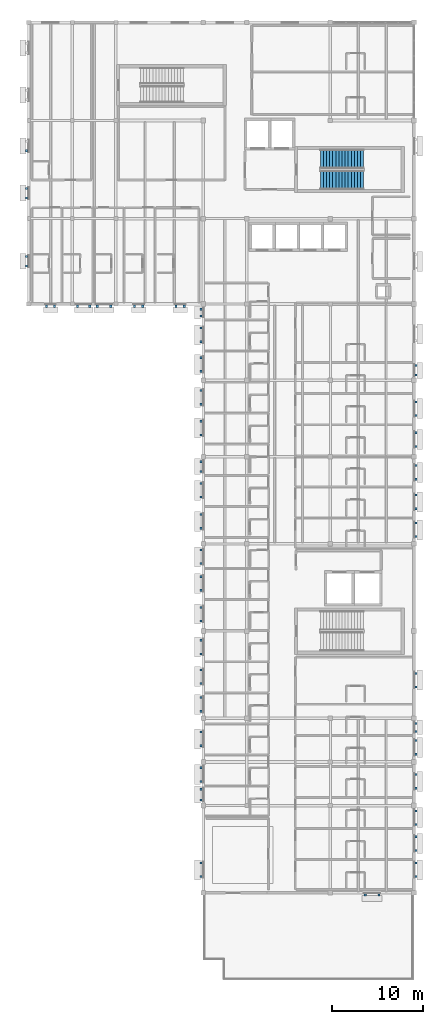
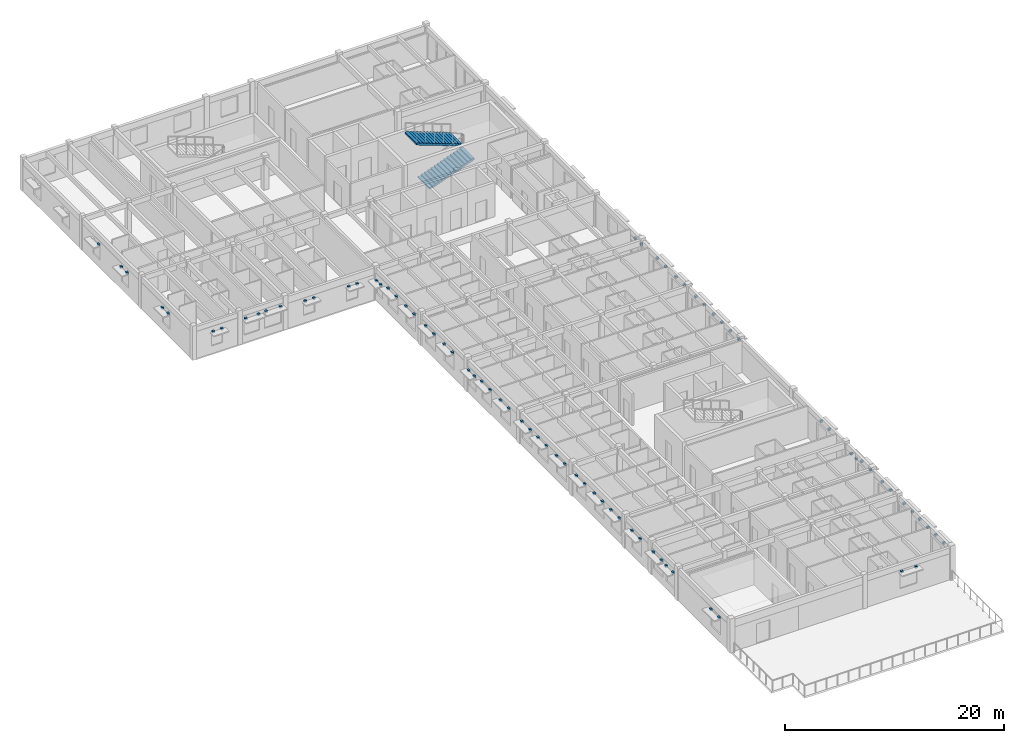
# One storey, part 16 of 22: 79 discrete accessories, 2 stair flights, 1 element without a shape of its own.
"""IFC4 building model written with IfcOpenShell, lengths in metres."""

import ifcopenshell
import ifcopenshell.guid

model = None  # the IFC model being written
_history = None  # IfcOwnerHistory: only IFC2X3 demands one
_inside = {}  # id of a spatial element -> (the spatial element, [elements in it])
_under = {}  # id of a project, library or spatial element -> (it, [spatial elements below it])
_declared = {}  # id of a project -> (the project, [libraries it declares])
_typed = {}  # id of a type object -> (the type object, [elements of that type])
_made_of = {}  # id of a material, layer set ... -> (it, [elements and type objects made of it])


def new_model(schema):
    """Start an empty IFC model of exactly this schema.

    Asked for "IFC4X3", IfcOpenShell would pick the latest addendum, in which some entities
    have other attributes; the version numbers below select the first issue.
    IFC2X3 requires an IfcOwnerHistory on every rooted entity: one is made here for all.
    """
    global model, _history
    if schema == "IFC4X3":
        model = ifcopenshell.file(schema_version=(4, 3, 0, 0))
    else:
        model = ifcopenshell.file(schema=schema)
    _inside.clear()
    _under.clear()
    _declared.clear()
    _typed.clear()
    _made_of.clear()
    _history = None
    if model.schema == "IFC2X3":
        org = make("IfcOrganization", Name="unknown")
        user = make(
            "IfcPersonAndOrganization",
            ThePerson=make("IfcPerson", FamilyName="unknown"),
            TheOrganization=org,
        )
        app = make(
            "IfcApplication",
            ApplicationDeveloper=org,
            Version="unknown",
            ApplicationFullName="unknown",
            ApplicationIdentifier="unknown",
        )
        _history = make(
            "IfcOwnerHistory",
            OwningUser=user,
            OwningApplication=app,
            ChangeAction="ADDED",
            CreationDate=0,
        )
    return model


def make(cls, **values):
    """One entity of the class cls with the attributes given. An attribute that is None is left unset."""
    return model.create_entity(
        cls, **{name: value for name, value in values.items() if value is not None}
    )


def rooted(cls, **values):
    """An entity with a GlobalId (a new one), such as an element, a storey or a relation."""
    return make(cls, GlobalId=ifcopenshell.guid.new(), OwnerHistory=_history, **values)


def si_unit(unit_type, name, prefix=None):
    """IfcSIUnit, for example si_unit("LENGTHUNIT", "METRE", prefix="MILLI")."""
    return make("IfcSIUnit", UnitType=unit_type, Prefix=prefix, Name=name)


def assignment(units):
    """IfcUnitAssignment: the units of a project."""
    return None if units is None else make("IfcUnitAssignment", Units=units)


def point(xyz):
    """IfcCartesianPoint."""
    return None if xyz is None else make("IfcCartesianPoint", Coordinates=xyz)


def direction(xyz):
    """IfcDirection."""
    return None if xyz is None else make("IfcDirection", DirectionRatios=xyz)


def frame(location, z_axis=None, x_axis=None):
    """IfcAxis2Placement3D, a coordinate frame: its origin and axes. An axis left out is left unset."""
    return make(
        "IfcAxis2Placement3D",
        Location=point(location),
        Axis=direction(z_axis),
        RefDirection=direction(x_axis),
    )


def frame_2d(location, x_axis=None):
    """IfcAxis2Placement2D, a coordinate frame in the plane: its origin and x axis."""
    return make(
        "IfcAxis2Placement2D", Location=point(location), RefDirection=direction(x_axis)
    )


def origin():
    """The frame at (0, 0, 0) with its axes left unset."""
    return frame((0.0, 0.0, 0.0))


def origin_2d():
    """The frame at (0, 0) in the plane with its x axis left unset."""
    return frame_2d((0.0, 0.0))


def place(relative_to, where):
    """IfcLocalPlacement: puts the frame where relative to a parent placement (None: the world)."""
    return make(
        "IfcLocalPlacement", PlacementRelTo=relative_to, RelativePlacement=where
    )


def context(
    kind, dimensions, precision=None, world=None, true_north=None, identifier=None
):
    """IfcGeometricRepresentationContext, for example the 3D "Model" context."""
    return make(
        "IfcGeometricRepresentationContext",
        ContextIdentifier=identifier,
        ContextType=kind,
        CoordinateSpaceDimension=dimensions,
        Precision=precision,
        WorldCoordinateSystem=world,
        TrueNorth=true_north,
    )


def subcontext(parent, identifier, kind, view, scale=None):
    """IfcGeometricRepresentationSubContext, for example "Body" below "Model"."""
    return make(
        "IfcGeometricRepresentationSubContext",
        ContextIdentifier=identifier,
        ContextType=kind,
        ParentContext=parent,
        TargetScale=scale,
        TargetView=view,
    )


def project(units=None, contexts=None):
    """IfcProject with its units and contexts."""
    return rooted(
        "IfcProject",
        Name="project",
        RepresentationContexts=contexts,
        UnitsInContext=assignment(units),
    )


def spatial(cls, under=None, at=None, **own):
    """A site, building, storey or space (cls), placed at a placement, below another one or the project."""
    s = rooted(cls, ObjectPlacement=at, **own)
    if under is not None:
        _under.setdefault(under.id(), (under, []))[1].append(s)
    return s


def polyline(points):
    """IfcPolyline through the points."""
    return make("IfcPolyline", Points=[point(p) for p in points])


def profile(cls, at=None, kind="AREA", **sizes):
    """A parametric profile (cls). Its sizes go by their IFC names, for example OverallWidth=200.0."""
    return make(cls, ProfileType=kind, Position=at, **sizes)


def rectangle(**sizes):
    """IfcRectangleProfileDef."""
    return profile("IfcRectangleProfileDef", **sizes)


def outline(outer, holes=None, kind="AREA"):
    """IfcArbitraryClosedProfileDef: a profile drawn as a closed curve; with holes, ...WithVoids."""
    if holes is None:
        return make("IfcArbitraryClosedProfileDef", ProfileType=kind, OuterCurve=outer)
    return make(
        "IfcArbitraryProfileDefWithVoids",
        ProfileType=kind,
        OuterCurve=outer,
        InnerCurves=holes,
    )


def extrude(swept, where, along, depth):
    """IfcExtrudedAreaSolid: the profile swept, set in the frame where, extruded along a direction by depth."""
    return make(
        "IfcExtrudedAreaSolid",
        SweptArea=swept,
        Position=where,
        ExtrudedDirection=direction(along),
        Depth=depth,
    )


def shape(context_of_items, identifier, shape_type, items):
    """IfcShapeRepresentation: the items that make up one representation, for example the "Body"."""
    return make(
        "IfcShapeRepresentation",
        ContextOfItems=context_of_items,
        RepresentationIdentifier=identifier,
        RepresentationType=shape_type,
        Items=items,
    )


def material(Name=None, Category=None):
    """IfcMaterial."""
    return make("IfcMaterial", Name=Name, Category=Category)


def made_of(thing, what):
    """Note that an element or type object is made of a material, layer set ...; save() writes the relation."""
    if what is not None:
        _made_of.setdefault(what.id(), (what, []))[1].append(thing)
    return thing


def type_object(cls, material=None, **own):
    """A type object (cls), such as IfcWallType, which elements share."""
    return made_of(rooted(cls, **own), material)


def element(
    cls,
    number,
    at=None,
    inside=None,
    cuts=None,
    type_object=None,
    material=None,
    context=None,
    identifier="Body",
    shape_type=None,
    held_by="IfcProductDefinitionShape",
    body=None,
    shapes=None,
    **own,
):
    """One element of the class cls, such as IfcWall. Its Tag is "e" and its number.

    at: its placement. inside: the storey or other place that contains it. cuts: it is an
    opening in that element (IfcRelVoidsElement). A single representation is given by context,
    identifier, shape_type and body (its items); several are given by shapes. held_by: the class
    of the entity that holds the representations. save() writes the other relations.
    """
    e = rooted(cls, Tag="e%d" % number, ObjectPlacement=at, **own)
    if body is not None:
        shapes = [shape(context, identifier, shape_type, body)]
    if shapes is not None:
        e.Representation = make(held_by, Representations=shapes)
    if inside is not None:
        _inside.setdefault(inside.id(), (inside, []))[1].append(e)
    if cuts is not None:
        rooted(
            "IfcRelVoidsElement", RelatingBuildingElement=cuts, RelatedOpeningElement=e
        )
    if type_object is not None:
        _typed.setdefault(type_object.id(), (type_object, []))[1].append(e)
    return made_of(e, material)


def aggregate(whole, parts):
    """IfcRelAggregates: a whole, such as a stair, and the parts it consists of."""
    return rooted("IfcRelAggregates", RelatingObject=whole, RelatedObjects=parts)


def save(model, path):
    """Write the relations noted so far, then the file.

    IfcRelAggregates (storeys below a building ...), IfcRelContainedInSpatialStructure (elements
    in a storey), IfcRelDefinesByType, IfcRelAssociatesMaterial and IfcRelDeclares: one each for
    every whole, place, type object, material and project.
    """
    for whole, parts in _under.values():
        aggregate(whole, parts)
    for where, things in _inside.values():
        rooted(
            "IfcRelContainedInSpatialStructure",
            RelatedElements=things,
            RelatingStructure=where,
        )
    for kind, things in _typed.values():
        rooted("IfcRelDefinesByType", RelatedObjects=things, RelatingType=kind)
    for what, things in _made_of.values():
        rooted("IfcRelAssociatesMaterial", RelatedObjects=things, RelatingMaterial=what)
    for by, libraries in _declared.values():
        rooted("IfcRelDeclares", RelatingContext=by, RelatedDefinitions=libraries)
    model.write(path)


model = new_model("IFC4")

# Units and contexts
model_context = context("Model", 3, precision=1e-05, world=origin(), true_north=direction((0.0, 1.0)))
body_context = subcontext(model_context, "Body", "Model", "MODEL_VIEW")
ifc_project = project(units=[si_unit("LENGTHUNIT", "METRE"), si_unit("AREAUNIT", "SQUARE_METRE"), si_unit("VOLUMEUNIT", "CUBIC_METRE"), si_unit("PLANEANGLEUNIT", "RADIAN"), si_unit("MASSUNIT", "GRAM", prefix="KILO")], contexts=[model_context])

# Site, building, storey
site_placement = place(None, origin())
site = spatial("IfcSite", under=ifc_project, at=site_placement, CompositionType="ELEMENT")
building_placement = place(site_placement, origin())
building = spatial("IfcBuilding", under=site, at=building_placement, Name="Veldera Park Congress Hotel", CompositionType="ELEMENT")
storey_placement = place(building_placement, frame((0.0, 0.0, 23.800048828125)))
storey = spatial("IfcBuildingStorey", under=building, at=storey_placement, Name="L05", CompositionType="ELEMENT", Elevation=23.800048828125)

# Stair, stair flights
ifc_material_1 = material(Name="Concrete f'c 40 MPa (5,800 psi)", Category="concrete")
stair_type = type_object("IfcStairType", Name="ST1", PredefinedType="HALF_TURN_STAIR", material=ifc_material_1)
stair_placement = place(storey_placement, origin())
stair = element("IfcStair", 1, at=stair_placement, inside=storey, type_object=stair_type, Name="L05 Protected Exit Stair ST1", PredefinedType="HALF_TURN_STAIR")
stair_flight_type = type_object("IfcStairFlightType", Name="SFL-ST1", PredefinedType="STRAIGHT", material=ifc_material_1)
stair_flight_1_placement = place(storey_placement, frame((73.699951171875, 40.64990234375, 0.0), z_axis=(0.0, 0.0, 1.0), x_axis=(1.0, 0.0, 0.0)))
stair_flight_1 = element("IfcStairFlight", 2, at=stair_flight_1_placement, type_object=stair_flight_type, Name="ST1 flight 1", NumberOfRisers=15, NumberOfTreads=14, PredefinedType="STRAIGHT", RiserHeight=0.126666667, TreadLength=0.34, context=body_context, shape_type="SweptSolid", body=[
    extrude(outline(polyline([(0.0, 0.0), (0.0, 0.126708984375), (0.340087890625, 0.126708984375), (0.340087890625, 0.25341796875), (0.679931640625, 0.25341796875), (0.679931640625, 0.3798828125), (1.02001953125, 0.3798828125), (1.02001953125, 0.506591796875), (1.360107421875, 0.506591796875), (1.360107421875, 0.63330078125), (1.699951171875, 0.63330078125), (1.699951171875, 0.760009765625), (2.0400390625, 0.760009765625), (2.0400390625, 0.88671875), (2.3798828125, 0.88671875), (2.3798828125, 1.013427734375), (2.719970703125, 1.013427734375), (2.719970703125, 1.139892578125), (3.06005859375, 1.139892578125), (3.06005859375, 1.2666015625), (3.39990234375, 1.2666015625), (3.39990234375, 1.393310546875), (3.739990234375, 1.393310546875), (3.739990234375, 1.52001953125), (4.080078125, 1.52001953125), (4.080078125, 1.646728515625), (4.419921875, 1.646728515625), (4.419921875, 1.7734375), (4.760009765625, 1.7734375), (4.760009765625, 1.89990234375), (4.760009765625, 1.89990234375), (4.760009765625, 1.581298828125), (0.515380859375, 0.0), (0.0, 0.0)])), frame((0.0, 1.050048828125, 0.0), z_axis=(0.0, -1.0, 0.0), x_axis=(1.0, 0.0, 0.0)), (0.0, 0.0, 1.0), 2.10009765625),
])
stair_flight_2_placement = place(storey_placement, frame((78.4599609375, 42.949951171875, 1.89990234375), z_axis=(0.0, 0.0, 1.0), x_axis=(-1.0, 0.0, 0.0)))
stair_flight_2 = element("IfcStairFlight", 3, at=stair_flight_2_placement, type_object=stair_flight_type, Name="ST1 flight 2", NumberOfRisers=15, NumberOfTreads=14, PredefinedType="STRAIGHT", RiserHeight=0.126666667, TreadLength=0.34, context=body_context, shape_type="SweptSolid", body=[
    extrude(outline(polyline([(0.0, 0.0), (0.0, 0.126708984375), (0.340087890625, 0.126708984375), (0.340087890625, 0.25341796875), (0.679931640625, 0.25341796875), (0.679931640625, 0.3798828125), (1.02001953125, 0.3798828125), (1.02001953125, 0.506591796875), (1.360107421875, 0.506591796875), (1.360107421875, 0.63330078125), (1.699951171875, 0.63330078125), (1.699951171875, 0.760009765625), (2.0400390625, 0.760009765625), (2.0400390625, 0.88671875), (2.3798828125, 0.88671875), (2.3798828125, 1.013427734375), (2.719970703125, 1.013427734375), (2.719970703125, 1.139892578125), (3.06005859375, 1.139892578125), (3.06005859375, 1.2666015625), (3.39990234375, 1.2666015625), (3.39990234375, 1.393310546875), (3.739990234375, 1.393310546875), (3.739990234375, 1.52001953125), (4.080078125, 1.52001953125), (4.080078125, 1.646728515625), (4.419921875, 1.646728515625), (4.419921875, 1.7734375), (4.760009765625, 1.7734375), (4.760009765625, 1.89990234375), (4.760009765625, 1.89990234375), (4.760009765625, 1.581298828125), (0.515380859375, 0.0), (0.0, 0.0)])), frame((0.0, 1.050048828125, 0.0), z_axis=(0.0, -1.0, 0.0), x_axis=(1.0, 0.0, 0.0)), (0.0, 0.0, 1.0), 2.10009765625),
])
aggregate(stair, [stair_flight_1, stair_flight_2])

# Discrete accessories
ifc_material_2 = material(Name="Steel ASTM A992 Gr.50", Category="steel")
discrete_accessory_type = type_object("IfcDiscreteAccessoryType", Name="ACC-BRK160", PredefinedType="BRACKET", material=ifc_material_2)
for number, where, z_axis, x_axis, name in (
    (4, (78.639892578125, -38.0400390625, 2.669921875), (0.0, 0.0, 1.0), (1.0, 0.0, 0.0), "Shading Steel Outrigger Bracket 158L"),
    (5, (80.139892578125, -38.0400390625, 2.669921875), (0.0, 0.0, 1.0), (1.0, 0.0, 0.0), "Shading Steel Outrigger Bracket 158R"),
    (6, (84.239990234375, -36.02099609375, 2.669921875), (0.0, 0.0, 1.0), (0.0, 1.0, 0.0), "Shading Steel Outrigger Bracket 159L"),
    (7, (84.239990234375, -34.52099609375, 2.669921875), (0.0, 0.0, 1.0), (0.0, 1.0, 0.0), "Shading Steel Outrigger Bracket 159R"),
    (8, (41.360107421875, 43.87109375, 2.4697265625), (0.0, 0.0, 1.0), (0.0, -1.0, 0.0), "Shading Steel Outrigger Bracket 164R"),
    (9, (41.360107421875, 39.72900390625, 2.4697265625), (0.0, 0.0, 1.0), (0.0, -1.0, 0.0), "Shading Steel Outrigger Bracket 165L"),
    (10, (41.360107421875, 38.678955078125, 2.4697265625), (0.0, 0.0, 1.0), (0.0, -1.0, 0.0), "Shading Steel Outrigger Bracket 165R"),
    (11, (41.360107421875, 32.232421875, 2.4697265625), (0.0, 0.0, 1.0), (0.0, -1.0, 0.0), "Shading Steel Outrigger Bracket 166L"),
    (12, (41.360107421875, 31.1826171875, 2.4697265625), (0.0, 0.0, 1.0), (0.0, -1.0, 0.0), "Shading Steel Outrigger Bracket 166R"),
    (13, (43.550048828125, 26.760009765625, 2.3701171875), (0.0, 0.0, 1.0), (1.0, 0.0, 0.0), "Shading Steel Outrigger Bracket 167L"),
    (14, (44.449951171875, 26.760009765625, 2.3701171875), (0.0, 0.0, 1.0), (1.0, 0.0, 0.0), "Shading Steel Outrigger Bracket 167R"),
    (15, (53.252685546875, 26.760009765625, 2.3701171875), (0.0, 0.0, 1.0), (1.0, 0.0, 0.0), "Shading Steel Outrigger Bracket 168L"),
    (16, (54.152587890625, 26.760009765625, 2.3701171875), (0.0, 0.0, 1.0), (1.0, 0.0, 0.0), "Shading Steel Outrigger Bracket 168R"),
    (17, (57.812255859375, 26.760009765625, 2.3701171875), (0.0, 0.0, 1.0), (1.0, 0.0, 0.0), "Shading Steel Outrigger Bracket 169L"),
    (18, (58.71240234375, 26.760009765625, 2.3701171875), (0.0, 0.0, 1.0), (1.0, 0.0, 0.0), "Shading Steel Outrigger Bracket 169R"),
    (19, (60.56005859375, -34.52099609375, 2.669921875), (0.0, 0.0, 1.0), (0.0, -1.0, 0.0), "Shading Steel Outrigger Bracket 170L"),
    (20, (60.56005859375, -36.02099609375, 2.669921875), (0.0, 0.0, 1.0), (0.0, -1.0, 0.0), "Shading Steel Outrigger Bracket 170R"),
    (21, (60.56005859375, -26.39599609375, 2.56982421875), (0.0, 0.0, 1.0), (0.0, -1.0, 0.0), "Shading Steel Outrigger Bracket 394L"),
    (22, (60.56005859375, -27.595947265625, 2.56982421875), (0.0, 0.0, 1.0), (0.0, -1.0, 0.0), "Shading Steel Outrigger Bracket 394R"),
    (23, (60.56005859375, -24.0439453125, 2.669921875), (0.0, 0.0, 1.0), (0.0, -1.0, 0.0), "Shading Steel Outrigger Bracket 395L"),
    (24, (60.56005859375, -25.5439453125, 2.669921875), (0.0, 0.0, 1.0), (0.0, -1.0, 0.0), "Shading Steel Outrigger Bracket 395R"),
    (25, (60.56005859375, -20.110107421875, 2.669921875), (0.0, 0.0, 1.0), (0.0, -1.0, 0.0), "Shading Steel Outrigger Bracket 396L"),
    (26, (60.56005859375, -21.610107421875, 2.669921875), (0.0, 0.0, 1.0), (0.0, -1.0, 0.0), "Shading Steel Outrigger Bracket 396R"),
    (27, (60.56005859375, -16.31591796875, 2.669921875), (0.0, 0.0, 1.0), (0.0, -1.0, 0.0), "Shading Steel Outrigger Bracket 397L"),
    (28, (60.56005859375, -17.81591796875, 2.669921875), (0.0, 0.0, 1.0), (0.0, -1.0, 0.0), "Shading Steel Outrigger Bracket 397R"),
    (29, (60.56005859375, -13.27001953125, 2.669921875), (0.0, 0.0, 1.0), (0.0, -1.0, 0.0), "Shading Steel Outrigger Bracket 398L"),
    (30, (60.56005859375, -14.77001953125, 2.669921875), (0.0, 0.0, 1.0), (0.0, -1.0, 0.0), "Shading Steel Outrigger Bracket 398R"),
    (31, (60.56005859375, -10.00390625, 2.669921875), (0.0, 0.0, 1.0), (0.0, -1.0, 0.0), "Shading Steel Outrigger Bracket 399L"),
    (32, (60.56005859375, -11.50390625, 2.669921875), (0.0, 0.0, 1.0), (0.0, -1.0, 0.0), "Shading Steel Outrigger Bracket 399R"),
    (33, (60.56005859375, -6.385986328125, 2.669921875), (0.0, 0.0, 1.0), (0.0, -1.0, 0.0), "Shading Steel Outrigger Bracket 400L"),
    (34, (60.56005859375, -7.885986328125, 2.669921875), (0.0, 0.0, 1.0), (0.0, -1.0, 0.0), "Shading Steel Outrigger Bracket 400R"),
    (35, (60.56005859375, -3.010009765625, 2.669921875), (0.0, 0.0, 1.0), (0.0, -1.0, 0.0), "Shading Steel Outrigger Bracket 401L"),
    (36, (60.56005859375, -4.510009765625, 2.669921875), (0.0, 0.0, 1.0), (0.0, -1.0, 0.0), "Shading Steel Outrigger Bracket 401R"),
    (37, (60.56005859375, -0.073974609375, 2.669921875), (0.0, 0.0, 1.0), (0.0, -1.0, 0.0), "Shading Steel Outrigger Bracket 402L"),
    (38, (60.56005859375, -1.573974609375, 2.669921875), (0.0, 0.0, 1.0), (0.0, -1.0, 0.0), "Shading Steel Outrigger Bracket 402R"),
    (39, (60.56005859375, 3.830078125, 2.669921875), (0.0, 0.0, 1.0), (0.0, -1.0, 0.0), "Shading Steel Outrigger Bracket 403L"),
    (40, (60.56005859375, 2.330078125, 2.669921875), (0.0, 0.0, 1.0), (0.0, -1.0, 0.0), "Shading Steel Outrigger Bracket 403R"),
    (41, (60.56005859375, 7.25, 2.669921875), (0.0, 0.0, 1.0), (0.0, -1.0, 0.0), "Shading Steel Outrigger Bracket 404L"),
    (42, (60.56005859375, 5.75, 2.669921875), (0.0, 0.0, 1.0), (0.0, -1.0, 0.0), "Shading Steel Outrigger Bracket 404R"),
    (43, (60.56005859375, 9.631103515625, 2.4697265625), (0.0, 0.0, 1.0), (0.0, -1.0, 0.0), "Shading Steel Outrigger Bracket 405L"),
    (44, (60.56005859375, 8.5810546875, 2.4697265625), (0.0, 0.0, 1.0), (0.0, -1.0, 0.0), "Shading Steel Outrigger Bracket 405R"),
    (45, (60.56005859375, 14.090087890625, 2.669921875), (0.0, 0.0, 1.0), (0.0, -1.0, 0.0), "Shading Steel Outrigger Bracket 406L"),
    (46, (60.56005859375, 12.590087890625, 2.669921875), (0.0, 0.0, 1.0), (0.0, -1.0, 0.0), "Shading Steel Outrigger Bracket 406R"),
    (47, (60.56005859375, 17.47607421875, 2.669921875), (0.0, 0.0, 1.0), (0.0, -1.0, 0.0), "Shading Steel Outrigger Bracket 407L"),
    (48, (60.56005859375, 15.97607421875, 2.669921875), (0.0, 0.0, 1.0), (0.0, -1.0, 0.0), "Shading Steel Outrigger Bracket 407R"),
    (49, (60.56005859375, 21.093994140625, 2.669921875), (0.0, 0.0, 1.0), (0.0, -1.0, 0.0), "Shading Steel Outrigger Bracket 408L"),
    (50, (60.56005859375, 19.593994140625, 2.669921875), (0.0, 0.0, 1.0), (0.0, -1.0, 0.0), "Shading Steel Outrigger Bracket 408R"),
    (51, (60.56005859375, 24.35009765625, 2.669921875), (0.0, 0.0, 1.0), (0.0, -1.0, 0.0), "Shading Steel Outrigger Bracket 409L"),
    (52, (60.56005859375, 22.85009765625, 2.669921875), (0.0, 0.0, 1.0), (0.0, -1.0, 0.0), "Shading Steel Outrigger Bracket 409R"),
    (53, (60.56005859375, 26.430908203125, 2.27001953125), (0.0, 0.0, 1.0), (0.0, -1.0, 0.0), "Shading Steel Outrigger Bracket 410L"),
    (54, (60.56005859375, 25.680908203125, 2.27001953125), (0.0, 0.0, 1.0), (0.0, -1.0, 0.0), "Shading Steel Outrigger Bracket 410R"),
    (55, (84.239990234375, -33.1298828125, 2.669921875), (0.0, 0.0, 1.0), (0.0, 1.0, 0.0), "Shading Steel Outrigger Bracket 411L"),
    (56, (84.239990234375, -31.6298828125, 2.669921875), (0.0, 0.0, 1.0), (0.0, 1.0, 0.0), "Shading Steel Outrigger Bracket 411R"),
    (57, (84.239990234375, -30.283935546875, 2.669921875), (0.0, 0.0, 1.0), (0.0, 1.0, 0.0), "Shading Steel Outrigger Bracket 412L"),
    (58, (84.239990234375, -28.783935546875, 2.669921875), (0.0, 0.0, 1.0), (0.0, 1.0, 0.0), "Shading Steel Outrigger Bracket 412R"),
    (59, (84.239990234375, -26.2900390625, 2.669921875), (0.0, 0.0, 1.0), (0.0, 1.0, 0.0), "Shading Steel Outrigger Bracket 413L"),
    (60, (84.239990234375, -24.7900390625, 2.669921875), (0.0, 0.0, 1.0), (0.0, 1.0, 0.0), "Shading Steel Outrigger Bracket 413R"),
    (61, (84.239990234375, -22.555908203125, 2.669921875), (0.0, 0.0, 1.0), (0.0, 1.0, 0.0), "Shading Steel Outrigger Bracket 414L"),
    (62, (84.239990234375, -21.055908203125, 2.669921875), (0.0, 0.0, 1.0), (0.0, 1.0, 0.0), "Shading Steel Outrigger Bracket 414R"),
    (63, (84.239990234375, -20.053955078125, 2.3701171875), (0.0, 0.0, 1.0), (0.0, 1.0, 0.0), "Shading Steel Outrigger Bracket 415L"),
    (64, (84.239990234375, -19.154052734375, 2.3701171875), (0.0, 0.0, 1.0), (0.0, 1.0, 0.0), "Shading Steel Outrigger Bracket 415R"),
    (65, (84.239990234375, -15.14990234375, 2.669921875), (0.0, 0.0, 1.0), (0.0, 1.0, 0.0), "Shading Steel Outrigger Bracket 416L"),
    (66, (84.239990234375, -13.64990234375, 2.669921875), (0.0, 0.0, 1.0), (0.0, 1.0, 0.0), "Shading Steel Outrigger Bracket 416R"),
    (67, (84.239990234375, 1.404052734375, 2.669921875), (0.0, 0.0, 1.0), (0.0, 1.0, 0.0), "Shading Steel Outrigger Bracket 417L"),
    (68, (84.239990234375, 2.904052734375, 2.669921875), (0.0, 0.0, 1.0), (0.0, 1.0, 0.0), "Shading Steel Outrigger Bracket 417R"),
    (69, (84.239990234375, 4.469970703125, 2.669921875), (0.0, 0.0, 1.0), (0.0, 1.0, 0.0), "Shading Steel Outrigger Bracket 418L"),
    (70, (84.239990234375, 5.969970703125, 2.669921875), (0.0, 0.0, 1.0), (0.0, 1.0, 0.0), "Shading Steel Outrigger Bracket 418R"),
    (71, (84.239990234375, 7.716064453125, 2.669921875), (0.0, 0.0, 1.0), (0.0, 1.0, 0.0), "Shading Steel Outrigger Bracket 419L"),
    (72, (84.239990234375, 9.216064453125, 2.669921875), (0.0, 0.0, 1.0), (0.0, 1.0, 0.0), "Shading Steel Outrigger Bracket 419R"),
    (73, (84.239990234375, 11.333984375, 2.669921875), (0.0, 0.0, 1.0), (0.0, 1.0, 0.0), "Shading Steel Outrigger Bracket 420L"),
    (74, (84.239990234375, 12.833984375, 2.669921875), (0.0, 0.0, 1.0), (0.0, 1.0, 0.0), "Shading Steel Outrigger Bracket 420R"),
    (75, (84.239990234375, 14.72998046875, 2.669921875), (0.0, 0.0, 1.0), (0.0, 1.0, 0.0), "Shading Steel Outrigger Bracket 421L"),
    (76, (84.239990234375, 16.22998046875, 2.669921875), (0.0, 0.0, 1.0), (0.0, 1.0, 0.0), "Shading Steel Outrigger Bracket 421R"),
    (77, (84.239990234375, 19.178955078125, 2.4697265625), (0.0, 0.0, 1.0), (0.0, 1.0, 0.0), "Shading Steel Outrigger Bracket 422L"),
    (78, (84.239990234375, 20.22900390625, 2.4697265625), (0.0, 0.0, 1.0), (0.0, 1.0, 0.0), "Shading Steel Outrigger Bracket 422R"),
    (79, (46.971435546875, 26.760009765625, 2.6201171875), (0.0, 0.0, 1.0), (1.0, 0.0, 0.0), "Shading Steel Outrigger Bracket 424L"),
    (80, (48.321533203125, 26.760009765625, 2.6201171875), (0.0, 0.0, 1.0), (1.0, 0.0, 0.0), "Shading Steel Outrigger Bracket 424R"),
    (81, (49.133544921875, 26.760009765625, 2.669921875), (0.0, 0.0, 1.0), (1.0, 0.0, 0.0), "Shading Steel Outrigger Bracket 425L"),
    (82, (50.633544921875, 26.760009765625, 2.669921875), (0.0, 0.0, 1.0), (1.0, 0.0, 0.0), "Shading Steel Outrigger Bracket 425R"),
):
    element("IfcDiscreteAccessory", number, at=place(storey_placement, frame(where, z_axis=z_axis, x_axis=x_axis)), inside=storey, type_object=discrete_accessory_type, Name=name, PredefinedType="BRACKET", context=body_context, shape_type="SweptSolid", body=[
        extrude(rectangle(XDim=0.239990234375, YDim=0.239990234375, at=origin_2d()), origin(), (0.0, 0.0, 1.0), 0.219970703125),
    ])

save(model, "model.ifc")
